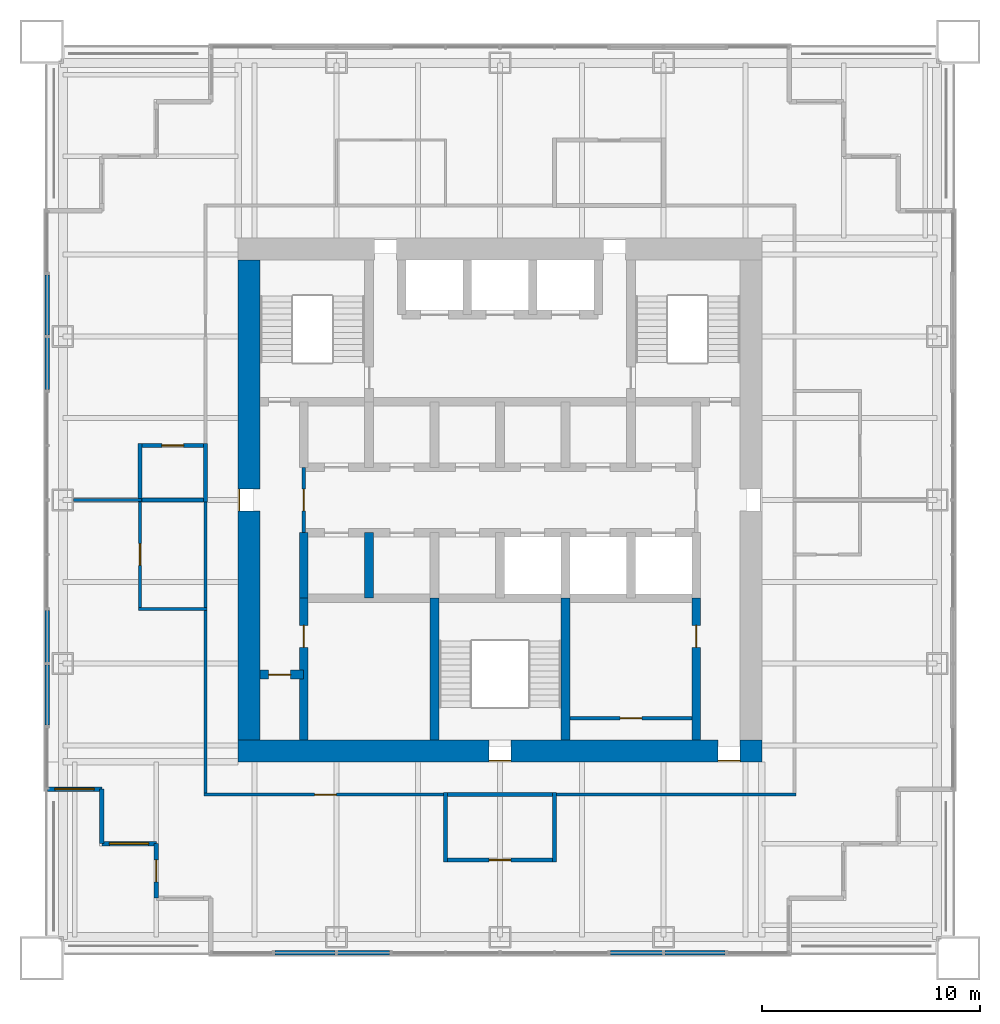
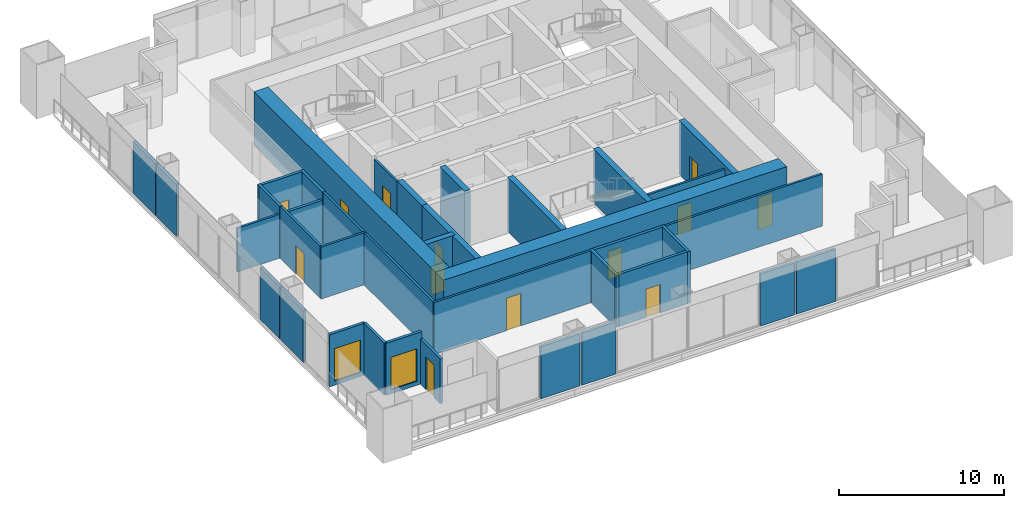
# One storey, part 9 of 14: 37 walls, 13 doors, 2 windows, 15 openings.
"""IFC4 building model written with IfcOpenShell, lengths in metres."""

from ifc_helpers import new_model, si_unit, direction, frame, frame_2d, origin, place, context, subcontext, project, spatial, rectangle, extrude, material, layer, layer_set, type_object, element, fill, save


model = new_model("IFC4")

# Units and contexts
model_context = context("Model", 3, precision=1e-05, world=origin(), true_north=direction((0.0, 1.0)))
body_context = subcontext(model_context, "Body", "Model", "MODEL_VIEW")
ifc_project = project(units=[si_unit("LENGTHUNIT", "METRE"), si_unit("AREAUNIT", "SQUARE_METRE"), si_unit("VOLUMEUNIT", "CUBIC_METRE"), si_unit("PLANEANGLEUNIT", "RADIAN"), si_unit("MASSUNIT", "GRAM", prefix="KILO")], contexts=[model_context])

# Site, building, storey
site_placement = place(None, origin())
site = spatial("IfcSite", under=ifc_project, at=site_placement, CompositionType="ELEMENT")
building_placement = place(site_placement, origin())
building = spatial("IfcBuilding", under=site, at=building_placement, Name="Tarangal Relay Tower", CompositionType="ELEMENT")
storey_placement = place(building_placement, frame((0.0, 0.0, 283.89990234375)))
storey = spatial("IfcBuildingStorey", under=building, at=storey_placement, Name="L62", CompositionType="ELEMENT", Elevation=283.89990234375)

# Wall, opening, door
ifc_material_1 = material(Name="Two layers gypsum board each side on twin steel studs, mineral wool", Category="steel")
ifc_layer_1 = layer(ifc_material_1, 0.199951171875)
ifc_layer_set_1 = layer_set([ifc_layer_1], Name="Acoustic partition 200")
wall_type_1 = type_object("IfcWallType", Name="Acoustic partition 200", PredefinedType="PARTITIONING", material=ifc_layer_set_1)
wall_1_placement = place(storey_placement, frame((-2.60009765625, -16.5, 0.0), z_axis=(0.0, 0.0, 1.0), x_axis=(1.0, 0.0, 0.0)))
wall_1 = element("IfcWall", 1, at=wall_1_placement, inside=storey, type_object=wall_type_1, Name="Partition PT2 L62", PredefinedType="PARTITIONING", context=body_context, shape_type="SweptSolid", body=[
    extrude(rectangle(XDim=5.2001953125, YDim=0.199951171875, at=frame_2d((2.60009765625, 0.0))), origin(), (0.0, 0.0, 1.0), 3.85009765625),
])
opening_1_placement = place(wall_1_placement, frame((2.10009765625, 0.0, 0.0)))
opening_1 = element("IfcOpeningElement", 2, at=opening_1_placement, cuts=wall_1, Name="Opening D2", PredefinedType="OPENING", context=body_context, shape_type="SweptSolid", body=[
    extrude(rectangle(XDim=1.0, YDim=2.10009765625, at=frame_2d((0.5, 1.050048828125))), frame((0.0, 0.10986328125, 0.0), z_axis=(0.0, -1.0, 0.0), x_axis=(1.0, 0.0, 0.0)), (0.0, 0.0, 1.0), 0.219970703125),
])
ifc_material_2 = material(Name="Hardwood door", Category="wood")
door_type_1 = type_object("IfcDoorType", Name="Door 1000 x 2100", OperationType="SINGLE_SWING_LEFT", PredefinedType="DOOR", material=ifc_material_2)
door_1_placement = place(opening_1_placement, origin())
door_1 = element("IfcDoor", 3, at=door_1_placement, inside=storey, type_object=door_type_1, Name="Door D2 to meeting room L62-06", OperationType="SINGLE_SWING_LEFT", OverallHeight=2.10009765625, OverallWidth=1.0, PredefinedType="DOOR", context=body_context, shape_type="SweptSolid", body=[
    extrude(rectangle(XDim=1.0, YDim=2.10009765625, at=frame_2d((0.5, 1.050048828125))), frame((0.0, 0.02490234375, 0.0), z_axis=(0.0, -1.0, 0.0), x_axis=(1.0, 0.0, 0.0)), (0.0, 0.0, 1.0), 0.050048828125),
])
fill(opening_1, door_1)

# Walls
wall_2_placement = place(storey_placement, frame((-2.60009765625, -13.5, 0.0), z_axis=(0.0, 0.0, 1.0), x_axis=(1.0, 0.0, 0.0)))
element("IfcWall", 4, at=wall_2_placement, inside=storey, type_object=wall_type_1, Name="Partition PT2 L62", PredefinedType="PARTITIONING", context=body_context, shape_type="SweptSolid", body=[
    extrude(rectangle(XDim=5.2001953125, YDim=0.199951171875, at=frame_2d((2.60009765625, 0.0))), origin(), (0.0, 0.0, 1.0), 3.85009765625),
])
wall_3_placement = place(storey_placement, frame((-16.60009765625, 0.0, 0.0), z_axis=(0.0, 0.0, 1.0), x_axis=(1.0, 0.0, 0.0)))
element("IfcWall", 5, at=wall_3_placement, inside=storey, type_object=wall_type_1, Name="Partition PT2 L62", PredefinedType="PARTITIONING", context=body_context, shape_type="SweptSolid", body=[
    extrude(rectangle(XDim=3.2001953125, YDim=0.199951171875, at=frame_2d((1.60009765625, 0.0))), origin(), (0.0, 0.0, 1.0), 3.2431640625),
])

# Wall, opening, door
wall_4_placement = place(storey_placement, frame((-16.60009765625, 2.5, 0.0), z_axis=(0.0, 0.0, 1.0), x_axis=(1.0, 0.0, 0.0)))
wall_4 = element("IfcWall", 6, at=wall_4_placement, inside=storey, type_object=wall_type_1, Name="Partition PT2 L62", PredefinedType="PARTITIONING", context=body_context, shape_type="SweptSolid", body=[
    extrude(rectangle(XDim=3.2001953125, YDim=0.199951171875, at=frame_2d((1.60009765625, 0.0))), origin(), (0.0, 0.0, 1.0), 3.85009765625),
])
opening_2_placement = place(wall_4_placement, frame((1.10009765625, 0.0, 0.0)))
opening_2 = element("IfcOpeningElement", 7, at=opening_2_placement, cuts=wall_4, Name="Opening D2", PredefinedType="OPENING", context=body_context, shape_type="SweptSolid", body=[
    extrude(rectangle(XDim=1.0, YDim=2.10009765625, at=frame_2d((0.5, 1.050048828125))), frame((0.0, 0.10986328125, 0.0), z_axis=(0.0, -1.0, 0.0), x_axis=(1.0, 0.0, 0.0)), (0.0, 0.0, 1.0), 0.219970703125),
])
door_2_placement = place(opening_2_placement, origin())
door_2 = element("IfcDoor", 8, at=door_2_placement, inside=storey, type_object=door_type_1, Name="Door D2 to phone room L62-08", OperationType="SINGLE_SWING_LEFT", OverallHeight=2.10009765625, OverallWidth=1.0, PredefinedType="DOOR", context=body_context, shape_type="SweptSolid", body=[
    extrude(rectangle(XDim=1.0, YDim=2.10009765625, at=frame_2d((0.5, 1.050048828125))), frame((0.0, 0.02490234375, 0.0), z_axis=(0.0, -1.0, 0.0), x_axis=(1.0, 0.0, 0.0)), (0.0, 0.0, 1.0), 0.050048828125),
])
fill(opening_2, door_2)

# Walls
for number, where, z_axis, x_axis, name in (
    (9, (-16.5, -0.10009765625, 0.0), (0.0, 0.0, 1.0), (0.0, 1.0, 0.0), "Partition PT2 L62"),
    (10, (-13.5, -0.10009765625, 0.0), (0.0, 0.0, 1.0), (0.0, 1.0, 0.0), "Partition PT2 L62"),
):
    element("IfcWall", number, at=place(storey_placement, frame(where, z_axis=z_axis, x_axis=x_axis)), inside=storey, type_object=wall_type_1, Name=name, PredefinedType="PARTITIONING", context=body_context, shape_type="SweptSolid", body=[
        extrude(rectangle(XDim=2.7001953125, YDim=0.199951171875, at=frame_2d((1.35009765625, 0.0))), origin(), (0.0, 0.0, 1.0), 3.85009765625),
    ])
for number, where, z_axis, x_axis, name in (
    (11, (-2.5, -16.60009765625, 0.0), (0.0, 0.0, 1.0), (0.0, 1.0, 0.0), "Partition PT2 L62"),
    (12, (2.5, -16.60009765625, 0.0), (0.0, 0.0, 1.0), (0.0, 1.0, 0.0), "Partition PT2 L62"),
):
    element("IfcWall", number, at=place(storey_placement, frame(where, z_axis=z_axis, x_axis=x_axis)), inside=storey, type_object=wall_type_1, Name=name, PredefinedType="PARTITIONING", context=body_context, shape_type="SweptSolid", body=[
        extrude(rectangle(XDim=3.2001953125, YDim=0.199951171875, at=frame_2d((1.60009765625, 0.0))), origin(), (0.0, 0.0, 1.0), 3.85009765625),
    ])

# Wall, opening, door
ifc_material_3 = material(Name="Concrete fc' 60 MPa", Category="concrete")
ifc_layer_2 = layer(ifc_material_3, 0.39990234375)
ifc_layer_set_2 = layer_set([ifc_layer_2], Name="Core inner wall 400")
wall_type_2 = type_object("IfcWallType", Name="Core inner wall 400", PredefinedType="SHEAR", material=ifc_layer_set_2)
wall_5_placement = place(storey_placement, frame((-11.0, -8.0, 0.0), z_axis=(0.0, 0.0, 1.0), x_axis=(1.0, 0.0, 0.0)))
wall_5 = element("IfcWall", 13, at=wall_5_placement, inside=storey, type_object=wall_type_2, Name="Core wall YM8 L62", PredefinedType="SHEAR", context=body_context, shape_type="SweptSolid", body=[
    extrude(rectangle(XDim=2.0, YDim=0.39990234375, at=frame_2d((1.0, 0.0))), origin(), (0.0, 0.0, 1.0), 4.0),
])
opening_3_placement = place(wall_5_placement, frame((0.39990234375, 0.0, 0.0)))
opening_3 = element("IfcOpeningElement", 14, at=opening_3_placement, cuts=wall_5, Name="Opening D1", PredefinedType="OPENING", context=body_context, shape_type="SweptSolid", body=[
    extrude(rectangle(XDim=1.0, YDim=2.10009765625, at=frame_2d((0.5, 1.050048828125))), frame((0.0, 0.2099609375, 0.0), z_axis=(0.0, -1.0, 0.0), x_axis=(1.0, 0.0, 0.0)), (0.0, 0.0, 1.0), 0.419921875),
])
door_type_2 = type_object("IfcDoorType", Name="WC door 1000 x 2100", OperationType="SINGLE_SWING_LEFT", PredefinedType="DOOR", material=ifc_material_2)
door_3_placement = place(opening_3_placement, origin())
door_3 = element("IfcDoor", 15, at=door_3_placement, inside=storey, type_object=door_type_2, Name="Accessible WC door L62", OperationType="SINGLE_SWING_LEFT", OverallHeight=2.10009765625, OverallWidth=1.0, PredefinedType="DOOR", context=body_context, shape_type="SweptSolid", body=[
    extrude(rectangle(XDim=1.0, YDim=2.10009765625, at=frame_2d((0.5, 1.050048828125))), frame((0.0, 0.02490234375, 0.0), z_axis=(0.0, -1.0, 0.0), x_axis=(1.0, 0.0, 0.0)), (0.0, 0.0, 1.0), 0.050048828125),
])
fill(opening_3, door_3)

# Walls
for number, where, z_axis, x_axis, name in (
    (16, (-9.0, -4.5, 0.0), (0.0, 0.0, 1.0), (0.0, 1.0, 0.0), "Core wall XM9S L62"),
    (17, (-6.0, -4.5, 0.0), (0.0, 0.0, 1.0), (0.0, 1.0, 0.0), "Core wall XM6S L62"),
):
    element("IfcWall", number, at=place(storey_placement, frame(where, z_axis=z_axis, x_axis=x_axis)), inside=storey, type_object=wall_type_2, Name=name, PredefinedType="SHEAR", context=body_context, shape_type="SweptSolid", body=[
        extrude(rectangle(XDim=3.0, YDim=0.39990234375, at=frame_2d((1.5, 0.0))), origin(), (0.0, 0.0, 1.0), 4.0),
    ])

# Wall, opening, door
wall_6_placement = place(storey_placement, frame((-9.0, -11.0, 0.0), z_axis=(0.0, 0.0, 1.0), x_axis=(0.0, 1.0, 0.0)))
wall_6 = element("IfcWall", 18, at=wall_6_placement, inside=storey, type_object=wall_type_2, Name="Core wall XM9W L62", PredefinedType="SHEAR", context=body_context, shape_type="SweptSolid", body=[
    extrude(rectangle(XDim=6.5, YDim=0.39990234375, at=frame_2d((3.25, 0.0))), origin(), (0.0, 0.0, 1.0), 4.0),
])
opening_4_placement = place(wall_6_placement, frame((4.25, 0.0, 0.0)))
opening_4 = element("IfcOpeningElement", 19, at=opening_4_placement, cuts=wall_6, Name="Opening D1", PredefinedType="OPENING", context=body_context, shape_type="SweptSolid", body=[
    extrude(rectangle(XDim=1.0, YDim=2.10009765625, at=frame_2d((0.5, 1.050048828125))), frame((0.0, 0.2099609375, 0.0), z_axis=(0.0, -1.0, 0.0), x_axis=(1.0, 0.0, 0.0)), (0.0, 0.0, 1.0), 0.419921875),
])
door_4_placement = place(opening_4_placement, origin())
door_4 = element("IfcDoor", 20, at=door_4_placement, inside=storey, type_object=door_type_2, Name="Male WC door L62", OperationType="SINGLE_SWING_LEFT", OverallHeight=2.10009765625, OverallWidth=1.0, PredefinedType="DOOR", context=body_context, shape_type="SweptSolid", body=[
    extrude(rectangle(XDim=1.0, YDim=2.10009765625, at=frame_2d((0.5, 1.050048828125))), frame((0.0, 0.02490234375, 0.0), z_axis=(0.0, -1.0, 0.0), x_axis=(1.0, 0.0, 0.0)), (0.0, 0.0, 1.0), 0.050048828125),
])
fill(opening_4, door_4)

wall_7_placement = place(storey_placement, frame((9.0, -11.0, 0.0), z_axis=(0.0, 0.0, 1.0), x_axis=(0.0, 1.0, 0.0)))
wall_7 = element("IfcWall", 21, at=wall_7_placement, inside=storey, type_object=wall_type_2, Name="Core wall X9W L62", PredefinedType="SHEAR", context=body_context, shape_type="SweptSolid", body=[
    extrude(rectangle(XDim=6.5, YDim=0.39990234375, at=frame_2d((3.25, 0.0))), origin(), (0.0, 0.0, 1.0), 4.0),
])
opening_5_placement = place(wall_7_placement, frame((4.25, 0.0, 0.0)))
opening_5 = element("IfcOpeningElement", 22, at=opening_5_placement, cuts=wall_7, Name="Opening D1", PredefinedType="OPENING", context=body_context, shape_type="SweptSolid", body=[
    extrude(rectangle(XDim=1.0, YDim=2.10009765625, at=frame_2d((0.5, 1.050048828125))), frame((0.0, 0.2099609375, 0.0), z_axis=(0.0, -1.0, 0.0), x_axis=(1.0, 0.0, 0.0)), (0.0, 0.0, 1.0), 0.419921875),
])
door_5_placement = place(opening_5_placement, origin())
door_5 = element("IfcDoor", 23, at=door_5_placement, inside=storey, type_object=door_type_2, Name="Female WC door L62", OperationType="SINGLE_SWING_LEFT", OverallHeight=2.10009765625, OverallWidth=1.0, PredefinedType="DOOR", context=body_context, shape_type="SweptSolid", body=[
    extrude(rectangle(XDim=1.0, YDim=2.10009765625, at=frame_2d((0.5, 1.050048828125))), frame((0.0, 0.02490234375, 0.0), z_axis=(0.0, -1.0, 0.0), x_axis=(1.0, 0.0, 0.0)), (0.0, 0.0, 1.0), 0.050048828125),
])
fill(opening_5, door_5)

# Walls
for number, where, z_axis, x_axis, name in (
    (24, (-3.0, -11.0, 0.0), (0.0, 0.0, 1.0), (0.0, 1.0, 0.0), "Core wall XM3W L62"),
    (25, (3.0, -11.0, 0.0), (0.0, 0.0, 1.0), (0.0, 1.0, 0.0), "Core wall X3W L62"),
):
    element("IfcWall", number, at=place(storey_placement, frame(where, z_axis=z_axis, x_axis=x_axis)), inside=storey, type_object=wall_type_2, Name=name, PredefinedType="SHEAR", context=body_context, shape_type="SweptSolid", body=[
        extrude(rectangle(XDim=6.5, YDim=0.39990234375, at=frame_2d((3.25, 0.0))), origin(), (0.0, 0.0, 1.0), 4.0),
    ])

# Wall, openings, doors
ifc_layer_3 = layer(ifc_material_3, 1.0)
ifc_layer_set_3 = layer_set([ifc_layer_3], Name="Core wall 1000")
wall_type_3 = type_object("IfcWallType", Name="Core wall 1000", PredefinedType="SHEAR", material=ifc_layer_set_3)
wall_8_placement = place(storey_placement, frame((12.0, -11.5, 0.0), z_axis=(0.0, 0.0, 1.0), x_axis=(-1.0, 0.0, 0.0)))
wall_8 = element("IfcWall", 26, at=wall_8_placement, inside=storey, type_object=wall_type_3, Name="Core wall S L62", PredefinedType="SHEAR", context=body_context, shape_type="SweptSolid", body=[
    extrude(rectangle(XDim=24.0, YDim=1.0, at=frame_2d((12.0, 0.0))), origin(), (0.0, 0.0, 1.0), 4.0),
])
opening_6_placement = place(wall_8_placement, frame((11.5, 0.0, 0.0)))
opening_6 = element("IfcOpeningElement", 27, at=opening_6_placement, cuts=wall_8, Name="Opening FD1", PredefinedType="OPENING", context=body_context, shape_type="SweptSolid", body=[
    extrude(rectangle(XDim=1.0, YDim=2.10009765625, at=frame_2d((0.5, 1.050048828125))), frame((0.0, 0.510009765625, 0.0), z_axis=(0.0, -1.0, 0.0), x_axis=(1.0, 0.0, 0.0)), (0.0, 0.0, 1.0), 1.02001953125),
])
opening_7_placement = place(wall_8_placement, frame((1.0, 0.0, 0.0)))
opening_7 = element("IfcOpeningElement", 28, at=opening_7_placement, cuts=wall_8, Name="Opening FD3", PredefinedType="OPENING", context=body_context, shape_type="SweptSolid", body=[
    extrude(rectangle(XDim=1.0, YDim=2.39990234375, at=frame_2d((0.5, 1.199951171875))), frame((0.0, 0.510009765625, 0.0), z_axis=(0.0, -1.0, 0.0), x_axis=(1.0, 0.0, 0.0)), (0.0, 0.0, 1.0), 1.02001953125),
])
ifc_material_4 = material(Name="Steel door with hardwood frame", Category="steel")
door_type_3 = type_object("IfcDoorType", Name="Fire door 1000 x 2100", OperationType="SINGLE_SWING_LEFT", PredefinedType="DOOR", material=ifc_material_4)
door_6_placement = place(opening_6_placement, origin())
door_6 = element("IfcDoor", 29, at=door_6_placement, inside=storey, type_object=door_type_3, Name="Stair ST-C door L62", OperationType="SINGLE_SWING_LEFT", OverallHeight=2.10009765625, OverallWidth=1.0, PredefinedType="DOOR", context=body_context, shape_type="SweptSolid", body=[
    extrude(rectangle(XDim=1.0, YDim=2.10009765625, at=frame_2d((0.5, 1.050048828125))), frame((0.0, 0.48486328125, 0.0), z_axis=(0.0, -1.0, 0.0), x_axis=(1.0, 0.0, 0.0)), (0.0, 0.0, 1.0), 0.050048828125),
])
fill(opening_6, door_6)
door_type_4 = type_object("IfcDoorType", Name="Fire door 1000 x 2400 core entry", OperationType="SINGLE_SWING_RIGHT", PredefinedType="DOOR", material=ifc_material_4)
door_7_placement = place(opening_7_placement, origin())
door_7 = element("IfcDoor", 30, at=door_7_placement, inside=storey, type_object=door_type_4, Name="Core entry door south east L62", OperationType="SINGLE_SWING_RIGHT", OverallHeight=2.39990234375, OverallWidth=1.0, PredefinedType="DOOR", context=body_context, shape_type="SweptSolid", body=[
    extrude(rectangle(XDim=1.0, YDim=2.39990234375, at=frame_2d((0.5, 1.199951171875))), frame((0.0, 0.48486328125, 0.0), z_axis=(0.0, -1.0, 0.0), x_axis=(1.0, 0.0, 0.0)), (0.0, 0.0, 1.0), 0.050048828125),
])
fill(opening_7, door_7)

# Wall, opening, door
wall_9_placement = place(storey_placement, frame((-11.5, -11.0, 0.0), z_axis=(0.0, 0.0, 1.0), x_axis=(0.0, 1.0, 0.0)))
wall_9 = element("IfcWall", 31, at=wall_9_placement, inside=storey, type_object=wall_type_3, Name="Core wall W L62", PredefinedType="SHEAR", context=body_context, shape_type="SweptSolid", body=[
    extrude(rectangle(XDim=22.0, YDim=1.0, at=frame_2d((11.0, 0.0))), origin(), (0.0, 0.0, 1.0), 4.0),
])
opening_8_placement = place(wall_9_placement, frame((10.5, 0.0, 0.0)))
opening_8 = element("IfcOpeningElement", 32, at=opening_8_placement, cuts=wall_9, Name="Opening FD3", PredefinedType="OPENING", context=body_context, shape_type="SweptSolid", body=[
    extrude(rectangle(XDim=1.0, YDim=2.39990234375, at=frame_2d((0.5, 1.199951171875))), frame((0.0, 0.510009765625, 0.0), z_axis=(0.0, -1.0, 0.0), x_axis=(1.0, 0.0, 0.0)), (0.0, 0.0, 1.0), 1.02001953125),
])
door_8_placement = place(opening_8_placement, origin())
door_8 = element("IfcDoor", 33, at=door_8_placement, inside=storey, type_object=door_type_4, Name="Core entry door west L62", OperationType="SINGLE_SWING_RIGHT", OverallHeight=2.39990234375, OverallWidth=1.0, PredefinedType="DOOR", context=body_context, shape_type="SweptSolid", body=[
    extrude(rectangle(XDim=1.0, YDim=2.39990234375, at=frame_2d((0.5, 1.199951171875))), frame((0.0, 0.48486328125, 0.0), z_axis=(0.0, -1.0, 0.0), x_axis=(1.0, 0.0, 0.0)), (0.0, 0.0, 1.0), 0.050048828125),
])
fill(opening_8, door_8)

ifc_material_5 = material(Name="Black metal clad insulated wall", Category="steel")
ifc_layer_4 = layer(ifc_material_5, 0.199951171875)
ifc_layer_set_4 = layer_set([ifc_layer_4], Name="Corner wall metal clad 200")
wall_type_4 = type_object("IfcWallType", Name="Corner wall metal clad 200", PredefinedType="SOLIDWALL", material=ifc_layer_set_4)
wall_10_placement = place(storey_placement, frame((-15.75, -18.25, 0.0), z_axis=(0.0, 0.0, 1.0), x_axis=(0.0, 1.0, 0.0)))
wall_10 = element("IfcWall", 34, at=wall_10_placement, inside=storey, type_object=wall_type_4, Name="Facade wall S facade L62", PredefinedType="SOLIDWALL", context=body_context, shape_type="SweptSolid", body=[
    extrude(rectangle(XDim=2.5, YDim=0.199951171875, at=frame_2d((1.25, 0.0))), origin(), (0.0, 0.0, 1.0), 3.316650390625),
])
opening_9_placement = place(wall_10_placement, frame((0.75, 0.0, 0.0)))
opening_9 = element("IfcOpeningElement", 35, at=opening_9_placement, cuts=wall_10, Name="Opening TD1", PredefinedType="OPENING", context=body_context, shape_type="SweptSolid", body=[
    extrude(rectangle(XDim=1.0, YDim=2.39990234375, at=frame_2d((0.5, 1.199951171875))), frame((0.0, 0.10986328125, 0.0), z_axis=(0.0, -1.0, 0.0), x_axis=(1.0, 0.0, 0.0)), (0.0, 0.0, 1.0), 0.219970703125),
])
ifc_material_6 = material(Name="Aluminium glazed door", Category="aluminium")
door_type_5 = type_object("IfcDoorType", Name="Terrace door 1000 x 2400", OperationType="SINGLE_SWING_RIGHT", PredefinedType="DOOR", material=ifc_material_6)
door_9_placement = place(opening_9_placement, origin())
door_9 = element("IfcDoor", 36, at=door_9_placement, inside=storey, type_object=door_type_5, Name="Terrace door TD1 SW L62", OperationType="SINGLE_SWING_RIGHT", OverallHeight=2.39990234375, OverallWidth=1.0, PredefinedType="DOOR", context=body_context, shape_type="SweptSolid", body=[
    extrude(rectangle(XDim=1.0, YDim=2.39990234375, at=frame_2d((0.5, 1.199951171875))), frame((0.0, 0.02490234375, 0.0), z_axis=(0.0, -1.0, 0.0), x_axis=(1.0, 0.0, 0.0)), (0.0, 0.0, 1.0), 0.050048828125),
])
fill(opening_9, door_9)

# Wall, opening, window
wall_11_placement = place(storey_placement, frame((-15.75, -15.75, 0.0), z_axis=(0.0, 0.0, 1.0), x_axis=(-1.0, 0.0, 0.0)))
wall_11 = element("IfcWall", 37, at=wall_11_placement, inside=storey, type_object=wall_type_4, Name="Facade wall S facade L62", PredefinedType="SOLIDWALL", context=body_context, shape_type="SweptSolid", body=[
    extrude(rectangle(XDim=2.5, YDim=0.199951171875, at=frame_2d((1.25, 0.0))), origin(), (0.0, 0.0, 1.0), 3.85009765625),
])
opening_10_placement = place(wall_11_placement, frame((0.35009765625, 0.0, 0.300048828125)))
opening_10 = element("IfcOpeningElement", 38, at=opening_10_placement, cuts=wall_11, Name="Opening WN2", PredefinedType="OPENING", context=body_context, shape_type="SweptSolid", body=[
    extrude(rectangle(XDim=1.800048828125, YDim=2.39990234375, at=frame_2d((0.89990234375, 1.199951171875))), frame((0.0, 0.10986328125, 0.0), z_axis=(0.0, -1.0, 0.0), x_axis=(1.0, 0.0, 0.0)), (0.0, 0.0, 1.0), 0.219970703125),
])
ifc_material_7 = material(Name="Dark tinted double glazing in black aluminium frame", Category="aluminium")
window_type = type_object("IfcWindowType", Name="Corner window 1800 x 2400", PartitioningType="SINGLE_PANEL", PredefinedType="WINDOW", material=ifc_material_7)
window_1_placement = place(opening_10_placement, origin())
window_1 = element("IfcWindow", 39, at=window_1_placement, inside=storey, type_object=window_type, Name="Corner window WN2 S facade L62", OverallHeight=2.39990234375, OverallWidth=1.800048828125, PartitioningType="SINGLE_PANEL", PredefinedType="WINDOW", context=body_context, shape_type="SweptSolid", body=[
    extrude(rectangle(XDim=1.800048828125, YDim=2.39990234375, at=frame_2d((0.89990234375, 1.199951171875))), frame((0.0, 0.030029296875, 0.0), z_axis=(0.0, -1.0, 0.0), x_axis=(1.0, 0.0, 0.0)), (0.0, 0.0, 1.0), 0.06005859375),
])
fill(opening_10, window_1)

# Wall
wall_12_placement = place(storey_placement, frame((-18.25, -15.75, 0.0), z_axis=(0.0, 0.0, 1.0), x_axis=(0.0, 1.0, 0.0)))
element("IfcWall", 40, at=wall_12_placement, inside=storey, type_object=wall_type_4, Name="Facade wall S facade L62", PredefinedType="SOLIDWALL", context=body_context, shape_type="SweptSolid", body=[
    extrude(rectangle(XDim=2.5, YDim=0.199951171875, at=frame_2d((1.25, 0.0))), origin(), (0.0, 0.0, 1.0), 3.85009765625),
])

# Wall, opening, window
wall_13_placement = place(storey_placement, frame((-18.25, -13.25, 0.0), z_axis=(0.0, 0.0, 1.0), x_axis=(-1.0, 0.0, 0.0)))
wall_13 = element("IfcWall", 41, at=wall_13_placement, inside=storey, type_object=wall_type_4, Name="Facade wall S facade L62", PredefinedType="SOLIDWALL", context=body_context, shape_type="SweptSolid", body=[
    extrude(rectangle(XDim=2.5, YDim=0.199951171875, at=frame_2d((1.25, 0.0))), origin(), (0.0, 0.0, 1.0), 3.85009765625),
])
opening_11_placement = place(wall_13_placement, frame((0.35009765625, 0.0, 0.300048828125)))
opening_11 = element("IfcOpeningElement", 42, at=opening_11_placement, cuts=wall_13, Name="Opening WN2", PredefinedType="OPENING", context=body_context, shape_type="SweptSolid", body=[
    extrude(rectangle(XDim=1.800048828125, YDim=2.39990234375, at=frame_2d((0.89990234375, 1.199951171875))), frame((0.0, 0.10986328125, 0.0), z_axis=(0.0, -1.0, 0.0), x_axis=(1.0, 0.0, 0.0)), (0.0, 0.0, 1.0), 0.219970703125),
])
window_2_placement = place(opening_11_placement, origin())
window_2 = element("IfcWindow", 43, at=window_2_placement, inside=storey, type_object=window_type, Name="Corner window WN2 S facade L62", OverallHeight=2.39990234375, OverallWidth=1.800048828125, PartitioningType="SINGLE_PANEL", PredefinedType="WINDOW", context=body_context, shape_type="SweptSolid", body=[
    extrude(rectangle(XDim=1.800048828125, YDim=2.39990234375, at=frame_2d((0.89990234375, 1.199951171875))), frame((0.0, 0.030029296875, 0.0), z_axis=(0.0, -1.0, 0.0), x_axis=(1.0, 0.0, 0.0)), (0.0, 0.0, 1.0), 0.06005859375),
])
fill(opening_11, window_2)

# Walls
ifc_layer_5 = layer(ifc_material_5, 0.199951171875)
ifc_layer_set_5 = layer_set([ifc_layer_5], Name="Facade infill wall metal clad 200")
wall_type_5 = type_object("IfcWallType", Name="Facade infill wall metal clad 200", PredefinedType="SOLIDWALL", material=ifc_layer_set_5)
wall_14_placement = place(storey_placement, frame((10.31494140625, -20.75, 0.0), z_axis=(0.0, 0.0, 1.0), x_axis=(-1.0, 0.0, 0.0)))
element("IfcWall", 44, at=wall_14_placement, inside=storey, type_object=wall_type_5, Name="Facade infill wall S facade L62 1.1", PredefinedType="SOLIDWALL", context=body_context, shape_type="SweptSolid", body=[
    extrude(rectangle(XDim=2.7548828125, YDim=0.199951171875, at=frame_2d((1.37744140625, 0.0))), origin(), (0.0, 0.0, 1.0), 3.85009765625),
])
for number, where, z_axis, x_axis, name in (
    (45, (7.43994140625, -20.75, 0.0), (0.0, 0.0, 1.0), (-1.0, 0.0, 0.0), "Facade infill wall S facade L62 1.1"),
    (46, (-5.06005859375, -20.75, 0.0), (0.0, 0.0, 1.0), (-1.0, 0.0, 0.0), "Facade infill wall S facade L62 1.1"),
):
    element("IfcWall", number, at=place(storey_placement, frame(where, z_axis=z_axis, x_axis=x_axis)), inside=storey, type_object=wall_type_5, Name=name, PredefinedType="SOLIDWALL", context=body_context, shape_type="SweptSolid", body=[
        extrude(rectangle(XDim=2.3798828125, YDim=0.199951171875, at=frame_2d((1.18994140625, 0.0))), origin(), (0.0, 0.0, 1.0), 3.85009765625),
    ])
for number, where, z_axis, x_axis, name in (
    (47, (-7.56005859375, -20.75, 0.0), (0.0, 0.0, 1.0), (-1.0, 0.0, 0.0), "Facade infill wall S facade L62 1.1"),
    (48, (-20.75, -10.31494140625, 0.0), (0.0, 0.0, 1.0), (0.0, 1.0, 0.0), "Facade infill wall W facade L62 1.1"),
):
    element("IfcWall", number, at=place(storey_placement, frame(where, z_axis=z_axis, x_axis=x_axis)), inside=storey, type_object=wall_type_5, Name=name, PredefinedType="SOLIDWALL", context=body_context, shape_type="SweptSolid", body=[
        extrude(rectangle(XDim=2.7548828125, YDim=0.199951171875, at=frame_2d((1.37744140625, 0.0))), origin(), (0.0, 0.0, 1.0), 3.85009765625),
    ])
for number, where, z_axis, x_axis, name in (
    (49, (-20.75, -7.43994140625, 0.0), (0.0, 0.0, 1.0), (0.0, 1.0, 0.0), "Facade infill wall W facade L62 1.1"),
    (50, (-20.75, 5.06005859375, 0.0), (0.0, 0.0, 1.0), (0.0, 1.0, 0.0), "Facade infill wall W facade L62 1.1"),
):
    element("IfcWall", number, at=place(storey_placement, frame(where, z_axis=z_axis, x_axis=x_axis)), inside=storey, type_object=wall_type_5, Name=name, PredefinedType="SOLIDWALL", context=body_context, shape_type="SweptSolid", body=[
        extrude(rectangle(XDim=2.3798828125, YDim=0.199951171875, at=frame_2d((1.18994140625, 0.0))), origin(), (0.0, 0.0, 1.0), 3.85009765625),
    ])
wall_15_placement = place(storey_placement, frame((-20.75, 7.56005859375, 0.0), z_axis=(0.0, 0.0, 1.0), x_axis=(0.0, 1.0, 0.0)))
element("IfcWall", 51, at=wall_15_placement, inside=storey, type_object=wall_type_5, Name="Facade infill wall W facade L62 1.1", PredefinedType="SOLIDWALL", context=body_context, shape_type="SweptSolid", body=[
    extrude(rectangle(XDim=2.7548828125, YDim=0.199951171875, at=frame_2d((1.37744140625, 0.0))), origin(), (0.0, 0.0, 1.0), 3.85009765625),
])

# Wall, opening, door
ifc_material_8 = material(Name="Gypsum board on steel studs", Category="steel")
ifc_layer_6 = layer(ifc_material_8, 0.14990234375)
ifc_layer_set_6 = layer_set([ifc_layer_6], Name="Partition 150")
wall_type_6 = type_object("IfcWallType", Name="Partition 150", PredefinedType="PARTITIONING", material=ifc_layer_set_6)
wall_16_placement = place(storey_placement, frame((-13.574951171875, -13.5, 0.0), z_axis=(0.0, 0.0, 1.0), x_axis=(1.0, 0.0, 0.0)))
wall_16 = element("IfcWall", 52, at=wall_16_placement, inside=storey, type_object=wall_type_6, Name="Partition PT1 L62", PredefinedType="PARTITIONING", context=body_context, shape_type="SweptSolid", body=[
    extrude(rectangle(XDim=11.14990234375, YDim=0.14990234375, at=frame_2d((5.574951171875, 0.0))), origin(), (0.0, 0.0, 1.0), 3.85009765625),
])
opening_12_placement = place(wall_16_placement, frame((5.074951171875, 0.0, 0.0)))
opening_12 = element("IfcOpeningElement", 53, at=opening_12_placement, cuts=wall_16, Name="Opening SD1", PredefinedType="OPENING", context=body_context, shape_type="SweptSolid", body=[
    extrude(rectangle(XDim=1.0, YDim=2.39990234375, at=frame_2d((0.5, 1.199951171875))), frame((0.0, 0.0849609375, 0.0), z_axis=(0.0, -1.0, 0.0), x_axis=(1.0, 0.0, 0.0)), (0.0, 0.0, 1.0), 0.169921875),
])
door_type_6 = type_object("IfcDoorType", Name="Suite entrance door 1000 x 2400", OperationType="SINGLE_SWING_RIGHT", PredefinedType="DOOR", material=ifc_material_4)
door_10_placement = place(opening_12_placement, origin())
door_10 = element("IfcDoor", 54, at=door_10_placement, inside=storey, type_object=door_type_6, Name="Door SD1 to open plan office L62-10", OperationType="SINGLE_SWING_RIGHT", OverallHeight=2.39990234375, OverallWidth=1.0, PredefinedType="DOOR", context=body_context, shape_type="SweptSolid", body=[
    extrude(rectangle(XDim=1.0, YDim=2.39990234375, at=frame_2d((0.5, 1.199951171875))), frame((0.0, 0.02490234375, 0.0), z_axis=(0.0, -1.0, 0.0), x_axis=(1.0, 0.0, 0.0)), (0.0, 0.0, 1.0), 0.050048828125),
])
fill(opening_12, door_10)

# Walls
wall_17_placement = place(storey_placement, frame((2.425048828125, -13.5, 0.0), z_axis=(0.0, 0.0, 1.0), x_axis=(1.0, 0.0, 0.0)))
element("IfcWall", 55, at=wall_17_placement, inside=storey, type_object=wall_type_6, Name="Partition PT1 L62", PredefinedType="PARTITIONING", context=body_context, shape_type="SweptSolid", body=[
    extrude(rectangle(XDim=11.14990234375, YDim=0.14990234375, at=frame_2d((5.574951171875, 0.0))), origin(), (0.0, 0.0, 1.0), 3.85009765625),
])
wall_18_placement = place(storey_placement, frame((-16.574951171875, -5.0, 0.0), z_axis=(0.0, 0.0, 1.0), x_axis=(1.0, 0.0, 0.0)))
element("IfcWall", 56, at=wall_18_placement, inside=storey, type_object=wall_type_6, Name="Partition PT1 L62", PredefinedType="PARTITIONING", context=body_context, shape_type="SweptSolid", body=[
    extrude(rectangle(XDim=3.14990234375, YDim=0.14990234375, at=frame_2d((1.574951171875, 0.0))), origin(), (0.0, 0.0, 1.0), 3.85009765625),
])
wall_19_placement = place(storey_placement, frame((-19.5400390625, 0.0, 0.0), z_axis=(0.0, 0.0, 1.0), x_axis=(1.0, 0.0, 0.0)))
element("IfcWall", 57, at=wall_19_placement, inside=storey, type_object=wall_type_6, Name="Partition PT1 L62", PredefinedType="PARTITIONING", context=body_context, shape_type="SweptSolid", body=[
    extrude(rectangle(XDim=3.114990234375, YDim=0.14990234375, at=frame_2d((1.5576171875, 0.0))), origin(), (0.0, 0.0, 1.0), 3.2431640625),
])

# Wall, opening, door
wall_20_placement = place(storey_placement, frame((-16.5, -5.074951171875, 0.0), z_axis=(0.0, 0.0, 1.0), x_axis=(0.0, 1.0, 0.0)))
wall_20 = element("IfcWall", 58, at=wall_20_placement, inside=storey, type_object=wall_type_6, Name="Partition PT1 L62", PredefinedType="PARTITIONING", context=body_context, shape_type="SweptSolid", body=[
    extrude(rectangle(XDim=5.14990234375, YDim=0.14990234375, at=frame_2d((2.574951171875, 0.0))), origin(), (0.0, 0.0, 1.0), 3.85009765625),
])
opening_13_placement = place(wall_20_placement, frame((2.074951171875, 0.0, 0.0)))
opening_13 = element("IfcOpeningElement", 59, at=opening_13_placement, cuts=wall_20, Name="Opening D2", PredefinedType="OPENING", context=body_context, shape_type="SweptSolid", body=[
    extrude(rectangle(XDim=1.0, YDim=2.10009765625, at=frame_2d((0.5, 1.050048828125))), frame((0.0, 0.0849609375, 0.0), z_axis=(0.0, -1.0, 0.0), x_axis=(1.0, 0.0, 0.0)), (0.0, 0.0, 1.0), 0.169921875),
])
door_11_placement = place(opening_13_placement, origin())
door_11 = element("IfcDoor", 60, at=door_11_placement, inside=storey, type_object=door_type_1, Name="Door D2 to tea pantry L62-07", OperationType="SINGLE_SWING_LEFT", OverallHeight=2.10009765625, OverallWidth=1.0, PredefinedType="DOOR", context=body_context, shape_type="SweptSolid", body=[
    extrude(rectangle(XDim=1.0, YDim=2.10009765625, at=frame_2d((0.5, 1.050048828125))), frame((0.0, 0.02490234375, 0.0), z_axis=(0.0, -1.0, 0.0), x_axis=(1.0, 0.0, 0.0)), (0.0, 0.0, 1.0), 0.050048828125),
])
fill(opening_13, door_11)

# Wall
wall_21_placement = place(storey_placement, frame((-13.5, -13.574951171875, 0.0), z_axis=(0.0, 0.0, 1.0), x_axis=(0.0, 1.0, 0.0)))
element("IfcWall", 61, at=wall_21_placement, inside=storey, type_object=wall_type_6, Name="Partition PT1 L62", PredefinedType="PARTITIONING", context=body_context, shape_type="SweptSolid", body=[
    extrude(rectangle(XDim=13.64990234375, YDim=0.14990234375, at=frame_2d((6.824951171875, 0.0))), origin(), (0.0, 0.0, 1.0), 3.85009765625),
])

# Wall, opening, door
wall_22_placement = place(storey_placement, frame((3.199951171875, -10.0, 0.0), z_axis=(0.0, 0.0, 1.0), x_axis=(1.0, 0.0, 0.0)))
wall_22 = element("IfcWall", 62, at=wall_22_placement, inside=storey, type_object=wall_type_6, Name="Partition PT1 L62", PredefinedType="PARTITIONING", context=body_context, shape_type="SweptSolid", body=[
    extrude(rectangle(XDim=5.60009765625, YDim=0.14990234375, at=frame_2d((2.800048828125, 0.0))), origin(), (0.0, 0.0, 1.0), 3.75),
])
opening_14_placement = place(wall_22_placement, frame((2.300048828125, 0.0, 0.0)))
opening_14 = element("IfcOpeningElement", 63, at=opening_14_placement, cuts=wall_22, Name="Opening D1", PredefinedType="OPENING", context=body_context, shape_type="SweptSolid", body=[
    extrude(rectangle(XDim=1.0, YDim=2.10009765625, at=frame_2d((0.5, 1.050048828125))), frame((0.0, 0.0849609375, 0.0), z_axis=(0.0, -1.0, 0.0), x_axis=(1.0, 0.0, 0.0)), (0.0, 0.0, 1.0), 0.169921875),
])
door_12_placement = place(opening_14_placement, origin())
door_12 = element("IfcDoor", 64, at=door_12_placement, inside=storey, type_object=door_type_2, Name="Door D1 to baby change room L62-C10B", OperationType="SINGLE_SWING_LEFT", OverallHeight=2.10009765625, OverallWidth=1.0, PredefinedType="DOOR", context=body_context, shape_type="SweptSolid", body=[
    extrude(rectangle(XDim=1.0, YDim=2.10009765625, at=frame_2d((0.5, 1.050048828125))), frame((0.0, 0.02490234375, 0.0), z_axis=(0.0, -1.0, 0.0), x_axis=(1.0, 0.0, 0.0)), (0.0, 0.0, 1.0), 0.050048828125),
])
fill(opening_14, door_12)

wall_23_placement = place(storey_placement, frame((-9.0, -1.5, 0.0), z_axis=(0.0, 0.0, 1.0), x_axis=(0.0, 1.0, 0.0)))
wall_23 = element("IfcWall", 65, at=wall_23_placement, inside=storey, type_object=wall_type_6, Name="Partition PT1 L62", PredefinedType="PARTITIONING", context=body_context, shape_type="SweptSolid", body=[
    extrude(rectangle(XDim=3.0, YDim=0.14990234375, at=frame_2d((1.5, 0.0))), origin(), (0.0, 0.0, 1.0), 3.75),
])
opening_15_placement = place(wall_23_placement, frame((1.0, 0.0, 0.0)))
opening_15 = element("IfcOpeningElement", 66, at=opening_15_placement, cuts=wall_23, Name="Opening FD3", PredefinedType="OPENING", context=body_context, shape_type="SweptSolid", body=[
    extrude(rectangle(XDim=1.0, YDim=2.39990234375, at=frame_2d((0.5, 1.199951171875))), frame((0.0, 0.0849609375, 0.0), z_axis=(0.0, -1.0, 0.0), x_axis=(1.0, 0.0, 0.0)), (0.0, 0.0, 1.0), 0.169921875),
])
door_13_placement = place(opening_15_placement, origin())
door_13 = element("IfcDoor", 67, at=door_13_placement, inside=storey, type_object=door_type_4, Name="Lift lobby door FD3 to the west corridor L62", OperationType="SINGLE_SWING_RIGHT", OverallHeight=2.39990234375, OverallWidth=1.0, PredefinedType="DOOR", context=body_context, shape_type="SweptSolid", body=[
    extrude(rectangle(XDim=1.0, YDim=2.39990234375, at=frame_2d((0.5, 1.199951171875))), frame((0.0, 0.02490234375, 0.0), z_axis=(0.0, -1.0, 0.0), x_axis=(1.0, 0.0, 0.0)), (0.0, 0.0, 1.0), 0.050048828125),
])
fill(opening_15, door_13)

save(model, "model.ifc")
